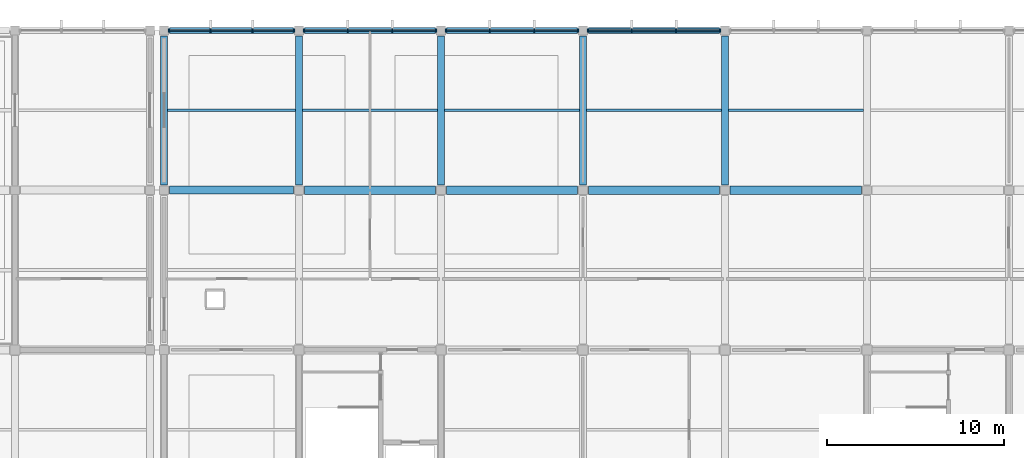
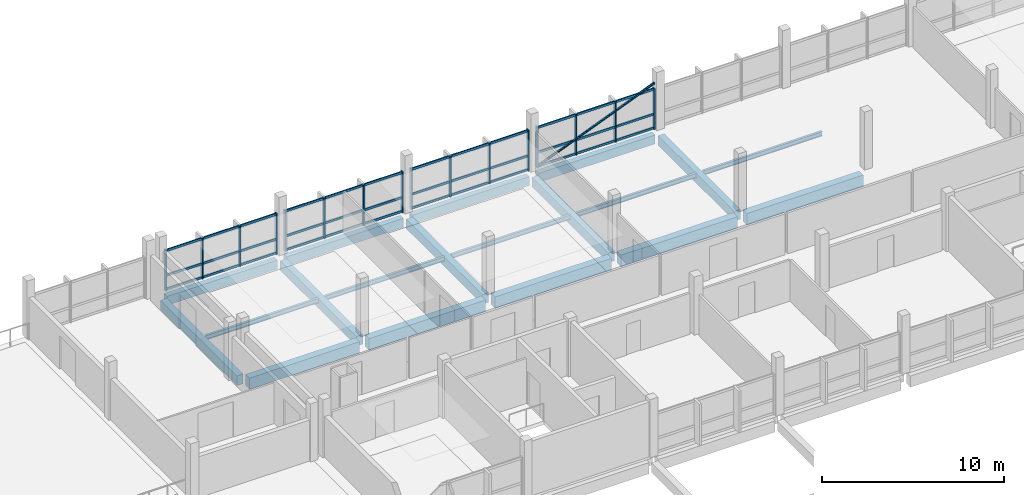
# One storey, part 25 of 57: 53 members, 19 beams, 4 elements without a shape of their own.
"""IFC4 building model written with IfcOpenShell, lengths in metres."""

import ifcopenshell
import ifcopenshell.guid

model = None  # the IFC model being written
_history = None  # IfcOwnerHistory: only IFC2X3 demands one
_inside = {}  # id of a spatial element -> (the spatial element, [elements in it])
_under = {}  # id of a project, library or spatial element -> (it, [spatial elements below it])
_declared = {}  # id of a project -> (the project, [libraries it declares])
_typed = {}  # id of a type object -> (the type object, [elements of that type])
_made_of = {}  # id of a material, layer set ... -> (it, [elements and type objects made of it])


def new_model(schema):
    """Start an empty IFC model of exactly this schema.

    Asked for "IFC4X3", IfcOpenShell would pick the latest addendum, in which some entities
    have other attributes; the version numbers below select the first issue.
    IFC2X3 requires an IfcOwnerHistory on every rooted entity: one is made here for all.
    """
    global model, _history
    if schema == "IFC4X3":
        model = ifcopenshell.file(schema_version=(4, 3, 0, 0))
    else:
        model = ifcopenshell.file(schema=schema)
    _inside.clear()
    _under.clear()
    _declared.clear()
    _typed.clear()
    _made_of.clear()
    _history = None
    if model.schema == "IFC2X3":
        org = make("IfcOrganization", Name="unknown")
        user = make(
            "IfcPersonAndOrganization",
            ThePerson=make("IfcPerson", FamilyName="unknown"),
            TheOrganization=org,
        )
        app = make(
            "IfcApplication",
            ApplicationDeveloper=org,
            Version="unknown",
            ApplicationFullName="unknown",
            ApplicationIdentifier="unknown",
        )
        _history = make(
            "IfcOwnerHistory",
            OwningUser=user,
            OwningApplication=app,
            ChangeAction="ADDED",
            CreationDate=0,
        )
    return model


def make(cls, **values):
    """One entity of the class cls with the attributes given. An attribute that is None is left unset."""
    return model.create_entity(
        cls, **{name: value for name, value in values.items() if value is not None}
    )


def rooted(cls, **values):
    """An entity with a GlobalId (a new one), such as an element, a storey or a relation."""
    return make(cls, GlobalId=ifcopenshell.guid.new(), OwnerHistory=_history, **values)


def si_unit(unit_type, name, prefix=None):
    """IfcSIUnit, for example si_unit("LENGTHUNIT", "METRE", prefix="MILLI")."""
    return make("IfcSIUnit", UnitType=unit_type, Prefix=prefix, Name=name)


def assignment(units):
    """IfcUnitAssignment: the units of a project."""
    return None if units is None else make("IfcUnitAssignment", Units=units)


def point(xyz):
    """IfcCartesianPoint."""
    return None if xyz is None else make("IfcCartesianPoint", Coordinates=xyz)


def direction(xyz):
    """IfcDirection."""
    return None if xyz is None else make("IfcDirection", DirectionRatios=xyz)


def frame(location, z_axis=None, x_axis=None):
    """IfcAxis2Placement3D, a coordinate frame: its origin and axes. An axis left out is left unset."""
    return make(
        "IfcAxis2Placement3D",
        Location=point(location),
        Axis=direction(z_axis),
        RefDirection=direction(x_axis),
    )


def frame_2d(location, x_axis=None):
    """IfcAxis2Placement2D, a coordinate frame in the plane: its origin and x axis."""
    return make(
        "IfcAxis2Placement2D", Location=point(location), RefDirection=direction(x_axis)
    )


def origin():
    """The frame at (0, 0, 0) with its axes left unset."""
    return frame((0.0, 0.0, 0.0))


def origin_2d():
    """The frame at (0, 0) in the plane with its x axis left unset."""
    return frame_2d((0.0, 0.0))


def place(relative_to, where):
    """IfcLocalPlacement: puts the frame where relative to a parent placement (None: the world)."""
    return make(
        "IfcLocalPlacement", PlacementRelTo=relative_to, RelativePlacement=where
    )


def context(
    kind, dimensions, precision=None, world=None, true_north=None, identifier=None
):
    """IfcGeometricRepresentationContext, for example the 3D "Model" context."""
    return make(
        "IfcGeometricRepresentationContext",
        ContextIdentifier=identifier,
        ContextType=kind,
        CoordinateSpaceDimension=dimensions,
        Precision=precision,
        WorldCoordinateSystem=world,
        TrueNorth=true_north,
    )


def subcontext(parent, identifier, kind, view, scale=None):
    """IfcGeometricRepresentationSubContext, for example "Body" below "Model"."""
    return make(
        "IfcGeometricRepresentationSubContext",
        ContextIdentifier=identifier,
        ContextType=kind,
        ParentContext=parent,
        TargetScale=scale,
        TargetView=view,
    )


def project(units=None, contexts=None):
    """IfcProject with its units and contexts."""
    return rooted(
        "IfcProject",
        Name="project",
        RepresentationContexts=contexts,
        UnitsInContext=assignment(units),
    )


def spatial(cls, under=None, at=None, **own):
    """A site, building, storey or space (cls), placed at a placement, below another one or the project."""
    s = rooted(cls, ObjectPlacement=at, **own)
    if under is not None:
        _under.setdefault(under.id(), (under, []))[1].append(s)
    return s


def profile(cls, at=None, kind="AREA", **sizes):
    """A parametric profile (cls). Its sizes go by their IFC names, for example OverallWidth=200.0."""
    return make(cls, ProfileType=kind, Position=at, **sizes)


def rectangle(**sizes):
    """IfcRectangleProfileDef."""
    return profile("IfcRectangleProfileDef", **sizes)


def hollow_circle(**sizes):
    """IfcCircleHollowProfileDef."""
    return profile("IfcCircleHollowProfileDef", **sizes)


def i_section(**sizes):
    """IfcIShapeProfileDef."""
    return profile("IfcIShapeProfileDef", **sizes)


def extrude(swept, where, along, depth):
    """IfcExtrudedAreaSolid: the profile swept, set in the frame where, extruded along a direction by depth."""
    return make(
        "IfcExtrudedAreaSolid",
        SweptArea=swept,
        Position=where,
        ExtrudedDirection=direction(along),
        Depth=depth,
    )


def shape(context_of_items, identifier, shape_type, items):
    """IfcShapeRepresentation: the items that make up one representation, for example the "Body"."""
    return make(
        "IfcShapeRepresentation",
        ContextOfItems=context_of_items,
        RepresentationIdentifier=identifier,
        RepresentationType=shape_type,
        Items=items,
    )


def material(Name=None, Category=None):
    """IfcMaterial."""
    return make("IfcMaterial", Name=Name, Category=Category)


def material_profile(
    of_material, cross_section, Name=None, Category=None, Priority=None
):
    """IfcMaterialProfile: a cross section and its material."""
    return make(
        "IfcMaterialProfile",
        Name=Name,
        Material=of_material,
        Profile=cross_section,
        Priority=Priority,
        Category=Category,
    )


def profile_set(profiles, Name=None, composite=None):
    """IfcMaterialProfileSet."""
    return make(
        "IfcMaterialProfileSet",
        Name=Name,
        MaterialProfiles=profiles,
        CompositeProfile=composite,
    )


def made_of(thing, what):
    """Note that an element or type object is made of a material, layer set ...; save() writes the relation."""
    if what is not None:
        _made_of.setdefault(what.id(), (what, []))[1].append(thing)
    return thing


def type_object(cls, material=None, **own):
    """A type object (cls), such as IfcWallType, which elements share."""
    return made_of(rooted(cls, **own), material)


def element(
    cls,
    number,
    at=None,
    inside=None,
    cuts=None,
    type_object=None,
    material=None,
    context=None,
    identifier="Body",
    shape_type=None,
    held_by="IfcProductDefinitionShape",
    body=None,
    shapes=None,
    **own,
):
    """One element of the class cls, such as IfcWall. Its Tag is "e" and its number.

    at: its placement. inside: the storey or other place that contains it. cuts: it is an
    opening in that element (IfcRelVoidsElement). A single representation is given by context,
    identifier, shape_type and body (its items); several are given by shapes. held_by: the class
    of the entity that holds the representations. save() writes the other relations.
    """
    e = rooted(cls, Tag="e%d" % number, ObjectPlacement=at, **own)
    if body is not None:
        shapes = [shape(context, identifier, shape_type, body)]
    if shapes is not None:
        e.Representation = make(held_by, Representations=shapes)
    if inside is not None:
        _inside.setdefault(inside.id(), (inside, []))[1].append(e)
    if cuts is not None:
        rooted(
            "IfcRelVoidsElement", RelatingBuildingElement=cuts, RelatedOpeningElement=e
        )
    if type_object is not None:
        _typed.setdefault(type_object.id(), (type_object, []))[1].append(e)
    return made_of(e, material)


def aggregate(whole, parts):
    """IfcRelAggregates: a whole, such as a stair, and the parts it consists of."""
    return rooted("IfcRelAggregates", RelatingObject=whole, RelatedObjects=parts)


def save(model, path):
    """Write the relations noted so far, then the file.

    IfcRelAggregates (storeys below a building ...), IfcRelContainedInSpatialStructure (elements
    in a storey), IfcRelDefinesByType, IfcRelAssociatesMaterial and IfcRelDeclares: one each for
    every whole, place, type object, material and project.
    """
    for whole, parts in _under.values():
        aggregate(whole, parts)
    for where, things in _inside.values():
        rooted(
            "IfcRelContainedInSpatialStructure",
            RelatedElements=things,
            RelatingStructure=where,
        )
    for kind, things in _typed.values():
        rooted("IfcRelDefinesByType", RelatedObjects=things, RelatingType=kind)
    for what, things in _made_of.values():
        rooted("IfcRelAssociatesMaterial", RelatedObjects=things, RelatingMaterial=what)
    for by, libraries in _declared.values():
        rooted("IfcRelDeclares", RelatingContext=by, RelatedDefinitions=libraries)
    model.write(path)


model = new_model("IFC4")

# Units and contexts
model_context = context("Model", 3, precision=1e-05, world=origin(), true_north=direction((0.0, 1.0)))
body_context = subcontext(model_context, "Body", "Model", "MODEL_VIEW")
ifc_project = project(units=[si_unit("LENGTHUNIT", "METRE"), si_unit("AREAUNIT", "SQUARE_METRE"), si_unit("VOLUMEUNIT", "CUBIC_METRE"), si_unit("PLANEANGLEUNIT", "RADIAN"), si_unit("MASSUNIT", "GRAM", prefix="KILO"), si_unit("THERMODYNAMICTEMPERATUREUNIT", "KELVIN"), si_unit("POWERUNIT", "WATT")], contexts=[model_context])

# Site, building, storey
site_placement = place(None, origin())
site = spatial("IfcSite", under=ifc_project, at=site_placement, CompositionType="ELEMENT")
building_placement = place(site_placement, origin())
building = spatial("IfcBuilding", under=site, at=building_placement, Name="Kronsvod Quay Wholesale Market", CompositionType="ELEMENT")
storey_placement = place(building_placement, frame((0.0, 0.0, 13.199951171875)))
storey = spatial("IfcBuildingStorey", under=building, at=storey_placement, Name="L03", CompositionType="ELEMENT", Elevation=13.199951171875)

# Beams
ifc_material_1 = material(Name="Precast concrete C40/50", Category="concrete")
ifc_material_profile_1 = material_profile(ifc_material_1, rectangle(XDim=0.39990234375, YDim=0.64990234375, at=origin_2d()), Name="PCB400x650")
ifc_profile_set_1 = profile_set([ifc_material_profile_1], Name="Precast concrete C40/50")
beam_type_1 = type_object("IfcBeamType", Name="Beam_PCB400x650", PredefinedType="BEAM", material=ifc_profile_set_1)
for number, where, z_axis, x_axis, name in (
    (1, (64.39990234375, 117.300048828125, -0.635009765625), (0.0, 1.0, 0.0), (-1.0, 0.0, 0.0), "BMY-L03-644-1170"),
    (2, (72.0, 117.300048828125, -0.635009765625), (0.0, 1.0, 0.0), (-1.0, 0.0, 0.0), "BMY-L03-720-1170"),
    (3, (80.0, 117.300048828125, -0.635009765625), (0.0, 1.0, 0.0), (-1.0, 0.0, 0.0), "BMY-L03-800-1170"),
    (4, (88.0, 117.300048828125, -0.635009765625), (0.0, 1.0, 0.0), (-1.0, 0.0, 0.0), "BMY-L03-880-1170"),
    (5, (96.0, 117.300048828125, -0.635009765625), (0.0, 1.0, 0.0), (-1.0, 0.0, 0.0), "BMY-L03-960-1170"),
):
    element("IfcBeam", number, at=place(storey_placement, frame(where, z_axis=z_axis, x_axis=x_axis)), inside=storey, type_object=beam_type_1, Name=name, PredefinedType="BEAM", context=body_context, shape_type="SweptSolid", body=[
        extrude(rectangle(XDim=0.39990234375, YDim=0.64990234375, at=origin_2d()), origin(), (0.0, 0.0, 1.0), 8.39990234375),
    ])
ifc_material_2 = material(Name="Precast concrete C40/50", Category="concrete")
ifc_material_profile_2 = material_profile(ifc_material_2, rectangle(XDim=0.449951171875, YDim=0.75, at=origin_2d()), Name="PCB450x750")
ifc_profile_set_2 = profile_set([ifc_material_profile_2], Name="Precast concrete C40/50")
beam_type_2 = type_object("IfcBeamType", Name="Beam_PCB450x750", PredefinedType="BEAM", material=ifc_profile_set_2)
beam_1_placement = place(storey_placement, frame((64.699951171875, 117.0, -0.68505859375), z_axis=(1.0, 0.0, 0.0), x_axis=(0.0, 1.0, 0.0)))
element("IfcBeam", 6, at=beam_1_placement, inside=storey, type_object=beam_type_2, Name="BMX-L03-644-1170", PredefinedType="BEAM", context=body_context, shape_type="SweptSolid", body=[
    extrude(rectangle(XDim=0.449951171875, YDim=0.75, at=origin_2d()), origin(), (0.0, 0.0, 1.0), 7.0),
])
ifc_material_3 = material(Name="Precast concrete C40/50", Category="concrete")
ifc_material_profile_3 = material_profile(ifc_material_3, rectangle(XDim=0.4599609375, YDim=0.780029296875, at=origin_2d()), Name="PB-03")
ifc_profile_set_3 = profile_set([ifc_material_profile_3], Name="Precast concrete C40/50")
beam_type_3 = type_object("IfcBeamType", Name="Beam_PCB460x780", PredefinedType="BEAM", material=ifc_profile_set_3)
for number, where, z_axis, x_axis, name in (
    (7, (72.300048828125, 117.0, -0.699951171875), (1.0, 0.0, 0.0), (0.0, 1.0, 0.0), "BMX-L03-720-1170"),
    (8, (80.300048828125, 117.0, -0.699951171875), (1.0, 0.0, 0.0), (0.0, 1.0, 0.0), "BMX-L03-800-1170"),
    (9, (88.300048828125, 117.0, -0.699951171875), (1.0, 0.0, 0.0), (0.0, 1.0, 0.0), "BMX-L03-880-1170"),
    (10, (96.300048828125, 117.0, -0.699951171875), (1.0, 0.0, 0.0), (0.0, 1.0, 0.0), "BMX-L03-960-1170"),
):
    element("IfcBeam", number, at=place(storey_placement, frame(where, z_axis=z_axis, x_axis=x_axis)), inside=storey, type_object=beam_type_3, Name=name, PredefinedType="BEAM", context=body_context, shape_type="SweptSolid", body=[
        extrude(rectangle(XDim=0.4599609375, YDim=0.780029296875, at=origin_2d()), origin(), (0.0, 0.0, 1.0), 7.39990234375),
    ])
ifc_material_4 = material(Name="Steel S355", Category="steel")
ifc_material_profile_4 = material_profile(ifc_material_4, i_section(OverallWidth=0.14990234375, OverallDepth=0.300048828125, WebThickness=0.006591796875, FlangeThickness=0.009033203125, FilletRadius=0.012939453125, at=origin_2d()), Name="30B2")
ifc_profile_set_4 = profile_set([ifc_material_profile_4], Name="Steel S355")
beam_type_4 = type_object("IfcBeamType", Name="Joist_Steel30B2", PredefinedType="JOIST", material=ifc_profile_set_4)
beam_2_placement = place(storey_placement, frame((64.594970703125, 121.5, -0.39990234375), z_axis=(1.0, 0.0, 0.0), x_axis=(0.0, 1.0, 0.0)))
element("IfcBeam", 11, at=beam_2_placement, inside=storey, type_object=beam_type_4, Name="JSTX-L03-644-1170", PredefinedType="JOIST", context=body_context, shape_type="SweptSolid", body=[
    extrude(i_section(OverallWidth=0.14990234375, OverallDepth=0.300048828125, WebThickness=0.006591796875, FlangeThickness=0.009033203125, FilletRadius=0.012939453125, at=origin_2d()), origin(), (0.0, 0.0, 1.0), 7.2099609375),
])
for number, where, z_axis, x_axis, name in (
    (12, (72.195068359375, 121.5, -0.39990234375), (1.0, 0.0, 0.0), (0.0, 1.0, 0.0), "JSTX-L03-720-1170"),
    (13, (80.195068359375, 121.5, -0.39990234375), (1.0, 0.0, 0.0), (0.0, 1.0, 0.0), "JSTX-L03-800-1170"),
    (14, (88.195068359375, 121.5, -0.39990234375), (1.0, 0.0, 0.0), (0.0, 1.0, 0.0), "JSTX-L03-880-1170"),
    (15, (96.195068359375, 121.5, -0.39990234375), (1.0, 0.0, 0.0), (0.0, 1.0, 0.0), "JSTX-L03-960-1170"),
):
    element("IfcBeam", number, at=place(storey_placement, frame(where, z_axis=z_axis, x_axis=x_axis)), inside=storey, type_object=beam_type_4, Name=name, PredefinedType="JOIST", context=body_context, shape_type="SweptSolid", body=[
        extrude(i_section(OverallWidth=0.14990234375, OverallDepth=0.300048828125, WebThickness=0.006591796875, FlangeThickness=0.009033203125, FilletRadius=0.012939453125, at=origin_2d()), origin(), (0.0, 0.0, 1.0), 7.60986328125),
    ])

# Member
ifc_material_5 = material(Name="Steel S355", Category="steel")
ifc_material_profile_5 = material_profile(ifc_material_5, hollow_circle(Radius=0.07958984375, WallThickness=0.006103515625, at=origin_2d()), Name="CHS159x6")
ifc_profile_set_5 = profile_set([ifc_material_profile_5], Name="Steel S355")
member_type_1 = type_object("IfcMemberType", Name="Member_Brace159x6", PredefinedType="BRACE", material=ifc_profile_set_5)
member_1_placement = place(storey_placement, frame((88.239990234375, 126.0, 0.050048828125), z_axis=(0.927964695428, 0.0, 0.372668115137), x_axis=(0.0, 1.0, 0.0)))
element("IfcMember", 16, at=member_1_placement, inside=storey, type_object=member_type_1, Name="BRCG-L03-880-1260-A", PredefinedType="BRACE", context=body_context, shape_type="SweptSolid", body=[
    extrude(hollow_circle(Radius=0.07958984375, WallThickness=0.006103515625, at=origin_2d()), origin(), (0.0, 0.0, 1.0), 8.103759765625),
])

# Curtain wall, members
ifc_material_6 = material(Name="Thermally broken aluminium and triple low-E glazing", Category="aluminium")
curtain_wall_type_1 = type_object("IfcCurtainWallType", Name="CW_Harbour76x30", PredefinedType="NOTDEFINED", material=ifc_material_6)
curtain_wall_1_placement = place(storey_placement, origin())
curtain_wall_1 = element("IfcCurtainWall", 17, at=curtain_wall_1_placement, inside=storey, type_object=curtain_wall_type_1, Name="CWGX-L03-644-1260", PredefinedType="NOTDEFINED")
ifc_material_7 = material(Name="Anodised aluminium", Category="aluminium")
ifc_material_profile_6 = material_profile(ifc_material_7, rectangle(XDim=0.074951171875, YDim=0.199951171875, at=origin_2d()), Name="ALUM75x200")
ifc_profile_set_6 = profile_set([ifc_material_profile_6], Name="Anodised aluminium")
member_type_2 = type_object("IfcMemberType", Name="Mullion_ALU75x200", PredefinedType="MULLION", material=ifc_profile_set_6)
member_2_placement = place(storey_placement, frame((71.717529296875, 126.0, 0.0), z_axis=(0.0, 0.0, 1.0), x_axis=(1.0, 0.0, 0.0)))
member_2 = element("IfcMember", 18, at=member_2_placement, type_object=member_type_2, Name="CWGX-L03-644-1260-M1", PredefinedType="MULLION", context=body_context, shape_type="SweptSolid", body=[
    extrude(rectangle(XDim=0.074951171875, YDim=0.199951171875, at=origin_2d()), origin(), (0.0, 0.0, 1.0), 2.75),
])
member_3_placement = place(storey_placement, frame((69.385009765625, 126.0, 0.0), z_axis=(0.0, 0.0, 1.0), x_axis=(1.0, 0.0, 0.0)))
member_3 = element("IfcMember", 19, at=member_3_placement, type_object=member_type_2, Name="CWGX-L03-644-1260-M2", PredefinedType="MULLION", context=body_context, shape_type="SweptSolid", body=[
    extrude(rectangle(XDim=0.074951171875, YDim=0.199951171875, at=origin_2d()), origin(), (0.0, 0.0, 1.0), 2.75),
])
member_4_placement = place(storey_placement, frame((67.014892578125, 126.0, 0.0), z_axis=(0.0, 0.0, 1.0), x_axis=(1.0, 0.0, 0.0)))
member_4 = element("IfcMember", 20, at=member_4_placement, type_object=member_type_2, Name="CWGX-L03-644-1260-M3", PredefinedType="MULLION", context=body_context, shape_type="SweptSolid", body=[
    extrude(rectangle(XDim=0.074951171875, YDim=0.199951171875, at=origin_2d()), origin(), (0.0, 0.0, 1.0), 2.75),
])
member_5_placement = place(storey_placement, frame((64.6826171875, 126.0, 0.0), z_axis=(0.0, 0.0, 1.0), x_axis=(1.0, 0.0, 0.0)))
member_5 = element("IfcMember", 21, at=member_5_placement, type_object=member_type_2, Name="CWGX-L03-644-1260-M4", PredefinedType="MULLION", context=body_context, shape_type="SweptSolid", body=[
    extrude(rectangle(XDim=0.074951171875, YDim=0.199951171875, at=origin_2d()), origin(), (0.0, 0.0, 1.0), 2.75),
])

ifc_material_8 = material(Name="Thermally broken aluminium and triple low-E glazing", Category="aluminium")
curtain_wall_type_2 = type_object("IfcCurtainWallType", Name="CW_Harbour80x30", PredefinedType="NOTDEFINED", material=ifc_material_8)
curtain_wall_2_placement = place(storey_placement, origin())
curtain_wall_2 = element("IfcCurtainWall", 22, at=curtain_wall_2_placement, inside=storey, type_object=curtain_wall_type_2, Name="CWGX-L03-720-1260", PredefinedType="NOTDEFINED")
member_6_placement = place(storey_placement, frame((79.717529296875, 126.0, 0.0), z_axis=(0.0, 0.0, 1.0), x_axis=(1.0, 0.0, 0.0)))
member_6 = element("IfcMember", 23, at=member_6_placement, type_object=member_type_2, Name="CWGX-L03-720-1260-M1", PredefinedType="MULLION", context=body_context, shape_type="SweptSolid", body=[
    extrude(rectangle(XDim=0.074951171875, YDim=0.199951171875, at=origin_2d()), origin(), (0.0, 0.0, 1.0), 2.75),
])
member_7_placement = place(storey_placement, frame((77.251708984375, 126.0, 0.0), z_axis=(0.0, 0.0, 1.0), x_axis=(1.0, 0.0, 0.0)))
member_7 = element("IfcMember", 24, at=member_7_placement, type_object=member_type_2, Name="CWGX-L03-720-1260-M2", PredefinedType="MULLION", context=body_context, shape_type="SweptSolid", body=[
    extrude(rectangle(XDim=0.074951171875, YDim=0.199951171875, at=origin_2d()), origin(), (0.0, 0.0, 1.0), 2.75),
])
member_8_placement = place(storey_placement, frame((74.748291015625, 126.0, 0.0), z_axis=(0.0, 0.0, 1.0), x_axis=(1.0, 0.0, 0.0)))
member_8 = element("IfcMember", 25, at=member_8_placement, type_object=member_type_2, Name="CWGX-L03-720-1260-M3", PredefinedType="MULLION", context=body_context, shape_type="SweptSolid", body=[
    extrude(rectangle(XDim=0.074951171875, YDim=0.199951171875, at=origin_2d()), origin(), (0.0, 0.0, 1.0), 2.75),
])
member_9_placement = place(storey_placement, frame((72.282470703125, 126.0, 0.0), z_axis=(0.0, 0.0, 1.0), x_axis=(1.0, 0.0, 0.0)))
member_9 = element("IfcMember", 26, at=member_9_placement, type_object=member_type_2, Name="CWGX-L03-720-1260-M4", PredefinedType="MULLION", context=body_context, shape_type="SweptSolid", body=[
    extrude(rectangle(XDim=0.074951171875, YDim=0.199951171875, at=origin_2d()), origin(), (0.0, 0.0, 1.0), 2.75),
])

curtain_wall_3_placement = place(storey_placement, origin())
curtain_wall_3 = element("IfcCurtainWall", 27, at=curtain_wall_3_placement, inside=storey, type_object=curtain_wall_type_2, Name="CWGX-L03-800-1260", PredefinedType="NOTDEFINED")
member_10_placement = place(storey_placement, frame((87.717529296875, 126.0, 0.0), z_axis=(0.0, 0.0, 1.0), x_axis=(1.0, 0.0, 0.0)))
member_10 = element("IfcMember", 28, at=member_10_placement, type_object=member_type_2, Name="CWGX-L03-800-1260-M1", PredefinedType="MULLION", context=body_context, shape_type="SweptSolid", body=[
    extrude(rectangle(XDim=0.074951171875, YDim=0.199951171875, at=origin_2d()), origin(), (0.0, 0.0, 1.0), 2.75),
])
member_11_placement = place(storey_placement, frame((85.251708984375, 126.0, 0.0), z_axis=(0.0, 0.0, 1.0), x_axis=(1.0, 0.0, 0.0)))
member_11 = element("IfcMember", 29, at=member_11_placement, type_object=member_type_2, Name="CWGX-L03-800-1260-M2", PredefinedType="MULLION", context=body_context, shape_type="SweptSolid", body=[
    extrude(rectangle(XDim=0.074951171875, YDim=0.199951171875, at=origin_2d()), origin(), (0.0, 0.0, 1.0), 2.75),
])
member_12_placement = place(storey_placement, frame((82.748291015625, 126.0, 0.0), z_axis=(0.0, 0.0, 1.0), x_axis=(1.0, 0.0, 0.0)))
member_12 = element("IfcMember", 30, at=member_12_placement, type_object=member_type_2, Name="CWGX-L03-800-1260-M3", PredefinedType="MULLION", context=body_context, shape_type="SweptSolid", body=[
    extrude(rectangle(XDim=0.074951171875, YDim=0.199951171875, at=origin_2d()), origin(), (0.0, 0.0, 1.0), 2.75),
])
member_13_placement = place(storey_placement, frame((80.282470703125, 126.0, 0.0), z_axis=(0.0, 0.0, 1.0), x_axis=(1.0, 0.0, 0.0)))
member_13 = element("IfcMember", 31, at=member_13_placement, type_object=member_type_2, Name="CWGX-L03-800-1260-M4", PredefinedType="MULLION", context=body_context, shape_type="SweptSolid", body=[
    extrude(rectangle(XDim=0.074951171875, YDim=0.199951171875, at=origin_2d()), origin(), (0.0, 0.0, 1.0), 2.75),
])

curtain_wall_4_placement = place(storey_placement, origin())
curtain_wall_4 = element("IfcCurtainWall", 32, at=curtain_wall_4_placement, inside=storey, type_object=curtain_wall_type_2, Name="CWGX-L03-880-1260", PredefinedType="NOTDEFINED")
member_14_placement = place(storey_placement, frame((95.717529296875, 126.0, 0.0), z_axis=(0.0, 0.0, 1.0), x_axis=(1.0, 0.0, 0.0)))
member_14 = element("IfcMember", 33, at=member_14_placement, type_object=member_type_2, Name="CWGX-L03-880-1260-M1", PredefinedType="MULLION", context=body_context, shape_type="SweptSolid", body=[
    extrude(rectangle(XDim=0.074951171875, YDim=0.199951171875, at=origin_2d()), origin(), (0.0, 0.0, 1.0), 2.75),
])
member_15_placement = place(storey_placement, frame((93.251708984375, 126.0, 0.0), z_axis=(0.0, 0.0, 1.0), x_axis=(1.0, 0.0, 0.0)))
member_15 = element("IfcMember", 34, at=member_15_placement, type_object=member_type_2, Name="CWGX-L03-880-1260-M2", PredefinedType="MULLION", context=body_context, shape_type="SweptSolid", body=[
    extrude(rectangle(XDim=0.074951171875, YDim=0.199951171875, at=origin_2d()), origin(), (0.0, 0.0, 1.0), 2.75),
])
member_16_placement = place(storey_placement, frame((90.748291015625, 126.0, 0.0), z_axis=(0.0, 0.0, 1.0), x_axis=(1.0, 0.0, 0.0)))
member_16 = element("IfcMember", 35, at=member_16_placement, type_object=member_type_2, Name="CWGX-L03-880-1260-M3", PredefinedType="MULLION", context=body_context, shape_type="SweptSolid", body=[
    extrude(rectangle(XDim=0.074951171875, YDim=0.199951171875, at=origin_2d()), origin(), (0.0, 0.0, 1.0), 2.75),
])
member_17_placement = place(storey_placement, frame((88.282470703125, 126.0, 0.0), z_axis=(0.0, 0.0, 1.0), x_axis=(1.0, 0.0, 0.0)))
member_17 = element("IfcMember", 36, at=member_17_placement, type_object=member_type_2, Name="CWGX-L03-880-1260-M4", PredefinedType="MULLION", context=body_context, shape_type="SweptSolid", body=[
    extrude(rectangle(XDim=0.074951171875, YDim=0.199951171875, at=origin_2d()), origin(), (0.0, 0.0, 1.0), 2.75),
])

# Beams
ifc_material_9 = material(Name="Precast concrete C40/50", Category="concrete")
ifc_material_profile_7 = material_profile(ifc_material_9, rectangle(XDim=0.35009765625, YDim=0.60009765625, at=origin_2d()), Name="PCSP350x600")
ifc_profile_set_7 = profile_set([ifc_material_profile_7], Name="Precast concrete C40/50")
beam_type_5 = type_object("IfcBeamType", Name="Spandrel_PCSP350x600", PredefinedType="SPANDREL", material=ifc_profile_set_7)
beam_3_placement = place(storey_placement, frame((64.699951171875, 126.0, -0.60986328125), z_axis=(1.0, 0.0, 0.0), x_axis=(0.0, 1.0, 0.0)))
element("IfcBeam", 37, at=beam_3_placement, inside=storey, type_object=beam_type_5, Name="BMX-L03-644-1260", PredefinedType="SPANDREL", context=body_context, shape_type="SweptSolid", body=[
    extrude(rectangle(XDim=0.35009765625, YDim=0.60009765625, at=origin_2d()), origin(), (0.0, 0.0, 1.0), 7.0),
])
for number, where, z_axis, x_axis, name in (
    (38, (72.300048828125, 126.0, -0.60986328125), (1.0, 0.0, 0.0), (0.0, 1.0, 0.0), "BMX-L03-720-1260"),
    (39, (80.300048828125, 126.0, -0.60986328125), (1.0, 0.0, 0.0), (0.0, 1.0, 0.0), "BMX-L03-800-1260"),
    (40, (88.300048828125, 126.0, -0.60986328125), (1.0, 0.0, 0.0), (0.0, 1.0, 0.0), "BMX-L03-880-1260"),
):
    element("IfcBeam", number, at=place(storey_placement, frame(where, z_axis=z_axis, x_axis=x_axis)), inside=storey, type_object=beam_type_5, Name=name, PredefinedType="SPANDREL", context=body_context, shape_type="SweptSolid", body=[
        extrude(rectangle(XDim=0.35009765625, YDim=0.60009765625, at=origin_2d()), origin(), (0.0, 0.0, 1.0), 7.39990234375),
    ])

# Member
ifc_material_10 = material(Name="Anodised aluminium", Category="aluminium")
ifc_material_profile_8 = material_profile(ifc_material_10, rectangle(XDim=0.074951171875, YDim=0.14990234375, at=origin_2d()), Name="ALUT75x150")
ifc_profile_set_8 = profile_set([ifc_material_profile_8], Name="Anodised aluminium")
member_type_3 = type_object("IfcMemberType", Name="Transom_ALU75x150", PredefinedType="USERDEFINED", material=ifc_profile_set_8)
member_18_placement = place(storey_placement, frame((71.679931640625, 126.0, 0.074951171875), z_axis=(-1.0, 0.0, 0.0), x_axis=(0.0, -1.0, 0.0)))
member_18 = element("IfcMember", 41, at=member_18_placement, type_object=member_type_3, Name="CWGX-L03-644-1260-T1B1", ObjectType="TRANSOM", PredefinedType="USERDEFINED", context=body_context, shape_type="SweptSolid", body=[
    extrude(rectangle(XDim=0.074951171875, YDim=0.14990234375, at=origin_2d()), origin(), (0.0, 0.0, 1.0), 2.25732421875),
])

member_19_placement = place(storey_placement, frame((69.347412109375, 126.0, 0.074951171875), z_axis=(-1.0, 0.0, 0.0), x_axis=(0.0, -1.0, 0.0)))
member_19 = element("IfcMember", 42, at=member_19_placement, type_object=member_type_3, Name="CWGX-L03-644-1260-T1B2", ObjectType="TRANSOM", PredefinedType="USERDEFINED", context=body_context, shape_type="SweptSolid", body=[
    extrude(rectangle(XDim=0.074951171875, YDim=0.14990234375, at=origin_2d()), origin(), (0.0, 0.0, 1.0), 2.294921875),
])

member_20_placement = place(storey_placement, frame((66.9775390625, 126.0, 0.074951171875), z_axis=(-1.0, 0.0, 0.0), x_axis=(0.0, -1.0, 0.0)))
member_20 = element("IfcMember", 43, at=member_20_placement, type_object=member_type_3, Name="CWGX-L03-644-1260-T1B3", ObjectType="TRANSOM", PredefinedType="USERDEFINED", context=body_context, shape_type="SweptSolid", body=[
    extrude(rectangle(XDim=0.074951171875, YDim=0.14990234375, at=origin_2d()), origin(), (0.0, 0.0, 1.0), 2.257568359375),
])

member_21_placement = place(storey_placement, frame((71.679931640625, 126.0, 1.0), z_axis=(-1.0, 0.0, 0.0), x_axis=(0.0, -1.0, 0.0)))
member_21 = element("IfcMember", 44, at=member_21_placement, type_object=member_type_3, Name="CWGX-L03-644-1260-T2B1", ObjectType="TRANSOM", PredefinedType="USERDEFINED", context=body_context, shape_type="SweptSolid", body=[
    extrude(rectangle(XDim=0.074951171875, YDim=0.14990234375, at=origin_2d()), origin(), (0.0, 0.0, 1.0), 2.25732421875),
])

member_22_placement = place(storey_placement, frame((69.347412109375, 126.0, 1.0), z_axis=(-1.0, 0.0, 0.0), x_axis=(0.0, -1.0, 0.0)))
member_22 = element("IfcMember", 45, at=member_22_placement, type_object=member_type_3, Name="CWGX-L03-644-1260-T2B2", ObjectType="TRANSOM", PredefinedType="USERDEFINED", context=body_context, shape_type="SweptSolid", body=[
    extrude(rectangle(XDim=0.074951171875, YDim=0.14990234375, at=origin_2d()), origin(), (0.0, 0.0, 1.0), 2.294921875),
])

member_23_placement = place(storey_placement, frame((66.9775390625, 126.0, 1.0), z_axis=(-1.0, 0.0, 0.0), x_axis=(0.0, -1.0, 0.0)))
member_23 = element("IfcMember", 46, at=member_23_placement, type_object=member_type_3, Name="CWGX-L03-644-1260-T2B3", ObjectType="TRANSOM", PredefinedType="USERDEFINED", context=body_context, shape_type="SweptSolid", body=[
    extrude(rectangle(XDim=0.074951171875, YDim=0.14990234375, at=origin_2d()), origin(), (0.0, 0.0, 1.0), 2.257568359375),
])

member_24_placement = place(storey_placement, frame((71.679931640625, 126.0, 2.675048828125), z_axis=(-1.0, 0.0, 0.0), x_axis=(0.0, -1.0, 0.0)))
member_24 = element("IfcMember", 47, at=member_24_placement, type_object=member_type_3, Name="CWGX-L03-644-1260-T3B1", ObjectType="TRANSOM", PredefinedType="USERDEFINED", context=body_context, shape_type="SweptSolid", body=[
    extrude(rectangle(XDim=0.074951171875, YDim=0.14990234375, at=origin_2d()), origin(), (0.0, 0.0, 1.0), 2.25732421875),
])

member_25_placement = place(storey_placement, frame((69.347412109375, 126.0, 2.675048828125), z_axis=(-1.0, 0.0, 0.0), x_axis=(0.0, -1.0, 0.0)))
member_25 = element("IfcMember", 48, at=member_25_placement, type_object=member_type_3, Name="CWGX-L03-644-1260-T3B2", ObjectType="TRANSOM", PredefinedType="USERDEFINED", context=body_context, shape_type="SweptSolid", body=[
    extrude(rectangle(XDim=0.074951171875, YDim=0.14990234375, at=origin_2d()), origin(), (0.0, 0.0, 1.0), 2.294921875),
])

member_26_placement = place(storey_placement, frame((66.9775390625, 126.0, 2.675048828125), z_axis=(-1.0, 0.0, 0.0), x_axis=(0.0, -1.0, 0.0)))
member_26 = element("IfcMember", 49, at=member_26_placement, type_object=member_type_3, Name="CWGX-L03-644-1260-T3B3", ObjectType="TRANSOM", PredefinedType="USERDEFINED", context=body_context, shape_type="SweptSolid", body=[
    extrude(rectangle(XDim=0.074951171875, YDim=0.14990234375, at=origin_2d()), origin(), (0.0, 0.0, 1.0), 2.257568359375),
])

aggregate(curtain_wall_1, [member_2, member_3, member_4, member_5, member_18, member_19, member_20, member_21, member_22, member_23, member_24, member_25, member_26])

member_27_placement = place(storey_placement, frame((79.679931640625, 126.0, 0.074951171875), z_axis=(-1.0, 0.0, 0.0), x_axis=(0.0, -1.0, 0.0)))
member_27 = element("IfcMember", 50, at=member_27_placement, type_object=member_type_3, Name="CWGX-L03-720-1260-T1B1", ObjectType="TRANSOM", PredefinedType="USERDEFINED", context=body_context, shape_type="SweptSolid", body=[
    extrude(rectangle(XDim=0.074951171875, YDim=0.14990234375, at=origin_2d()), origin(), (0.0, 0.0, 1.0), 2.390869140625),
])

member_28_placement = place(storey_placement, frame((77.214111328125, 126.0, 0.074951171875), z_axis=(-1.0, 0.0, 0.0), x_axis=(0.0, -1.0, 0.0)))
member_28 = element("IfcMember", 51, at=member_28_placement, type_object=member_type_3, Name="CWGX-L03-720-1260-T1B2", ObjectType="TRANSOM", PredefinedType="USERDEFINED", context=body_context, shape_type="SweptSolid", body=[
    extrude(rectangle(XDim=0.074951171875, YDim=0.14990234375, at=origin_2d()), origin(), (0.0, 0.0, 1.0), 2.42822265625),
])

member_29_placement = place(storey_placement, frame((74.7109375, 126.0, 0.074951171875), z_axis=(-1.0, 0.0, 0.0), x_axis=(0.0, -1.0, 0.0)))
member_29 = element("IfcMember", 52, at=member_29_placement, type_object=member_type_3, Name="CWGX-L03-720-1260-T1B3", ObjectType="TRANSOM", PredefinedType="USERDEFINED", context=body_context, shape_type="SweptSolid", body=[
    extrude(rectangle(XDim=0.074951171875, YDim=0.14990234375, at=origin_2d()), origin(), (0.0, 0.0, 1.0), 2.390869140625),
])

member_30_placement = place(storey_placement, frame((79.679931640625, 126.0, 1.0), z_axis=(-1.0, 0.0, 0.0), x_axis=(0.0, -1.0, 0.0)))
member_30 = element("IfcMember", 53, at=member_30_placement, type_object=member_type_3, Name="CWGX-L03-720-1260-T2B1", ObjectType="TRANSOM", PredefinedType="USERDEFINED", context=body_context, shape_type="SweptSolid", body=[
    extrude(rectangle(XDim=0.074951171875, YDim=0.14990234375, at=origin_2d()), origin(), (0.0, 0.0, 1.0), 2.390869140625),
])

member_31_placement = place(storey_placement, frame((77.214111328125, 126.0, 1.0), z_axis=(-1.0, 0.0, 0.0), x_axis=(0.0, -1.0, 0.0)))
member_31 = element("IfcMember", 54, at=member_31_placement, type_object=member_type_3, Name="CWGX-L03-720-1260-T2B2", ObjectType="TRANSOM", PredefinedType="USERDEFINED", context=body_context, shape_type="SweptSolid", body=[
    extrude(rectangle(XDim=0.074951171875, YDim=0.14990234375, at=origin_2d()), origin(), (0.0, 0.0, 1.0), 2.42822265625),
])

member_32_placement = place(storey_placement, frame((74.7109375, 126.0, 1.0), z_axis=(-1.0, 0.0, 0.0), x_axis=(0.0, -1.0, 0.0)))
member_32 = element("IfcMember", 55, at=member_32_placement, type_object=member_type_3, Name="CWGX-L03-720-1260-T2B3", ObjectType="TRANSOM", PredefinedType="USERDEFINED", context=body_context, shape_type="SweptSolid", body=[
    extrude(rectangle(XDim=0.074951171875, YDim=0.14990234375, at=origin_2d()), origin(), (0.0, 0.0, 1.0), 2.390869140625),
])

member_33_placement = place(storey_placement, frame((79.679931640625, 126.0, 2.675048828125), z_axis=(-1.0, 0.0, 0.0), x_axis=(0.0, -1.0, 0.0)))
member_33 = element("IfcMember", 56, at=member_33_placement, type_object=member_type_3, Name="CWGX-L03-720-1260-T3B1", ObjectType="TRANSOM", PredefinedType="USERDEFINED", context=body_context, shape_type="SweptSolid", body=[
    extrude(rectangle(XDim=0.074951171875, YDim=0.14990234375, at=origin_2d()), origin(), (0.0, 0.0, 1.0), 2.390869140625),
])

member_34_placement = place(storey_placement, frame((77.214111328125, 126.0, 2.675048828125), z_axis=(-1.0, 0.0, 0.0), x_axis=(0.0, -1.0, 0.0)))
member_34 = element("IfcMember", 57, at=member_34_placement, type_object=member_type_3, Name="CWGX-L03-720-1260-T3B2", ObjectType="TRANSOM", PredefinedType="USERDEFINED", context=body_context, shape_type="SweptSolid", body=[
    extrude(rectangle(XDim=0.074951171875, YDim=0.14990234375, at=origin_2d()), origin(), (0.0, 0.0, 1.0), 2.42822265625),
])

member_35_placement = place(storey_placement, frame((74.7109375, 126.0, 2.675048828125), z_axis=(-1.0, 0.0, 0.0), x_axis=(0.0, -1.0, 0.0)))
member_35 = element("IfcMember", 58, at=member_35_placement, type_object=member_type_3, Name="CWGX-L03-720-1260-T3B3", ObjectType="TRANSOM", PredefinedType="USERDEFINED", context=body_context, shape_type="SweptSolid", body=[
    extrude(rectangle(XDim=0.074951171875, YDim=0.14990234375, at=origin_2d()), origin(), (0.0, 0.0, 1.0), 2.390869140625),
])

aggregate(curtain_wall_2, [member_6, member_7, member_8, member_9, member_27, member_28, member_29, member_30, member_31, member_32, member_33, member_34, member_35])

member_36_placement = place(storey_placement, frame((87.679931640625, 126.0, 0.074951171875), z_axis=(-1.0, 0.0, 0.0), x_axis=(0.0, -1.0, 0.0)))
member_36 = element("IfcMember", 59, at=member_36_placement, type_object=member_type_3, Name="CWGX-L03-800-1260-T1B1", ObjectType="TRANSOM", PredefinedType="USERDEFINED", context=body_context, shape_type="SweptSolid", body=[
    extrude(rectangle(XDim=0.074951171875, YDim=0.14990234375, at=origin_2d()), origin(), (0.0, 0.0, 1.0), 2.390869140625),
])

member_37_placement = place(storey_placement, frame((85.214111328125, 126.0, 0.074951171875), z_axis=(-1.0, 0.0, 0.0), x_axis=(0.0, -1.0, 0.0)))
member_37 = element("IfcMember", 60, at=member_37_placement, type_object=member_type_3, Name="CWGX-L03-800-1260-T1B2", ObjectType="TRANSOM", PredefinedType="USERDEFINED", context=body_context, shape_type="SweptSolid", body=[
    extrude(rectangle(XDim=0.074951171875, YDim=0.14990234375, at=origin_2d()), origin(), (0.0, 0.0, 1.0), 2.42822265625),
])

member_38_placement = place(storey_placement, frame((82.7109375, 126.0, 0.074951171875), z_axis=(-1.0, 0.0, 0.0), x_axis=(0.0, -1.0, 0.0)))
member_38 = element("IfcMember", 61, at=member_38_placement, type_object=member_type_3, Name="CWGX-L03-800-1260-T1B3", ObjectType="TRANSOM", PredefinedType="USERDEFINED", context=body_context, shape_type="SweptSolid", body=[
    extrude(rectangle(XDim=0.074951171875, YDim=0.14990234375, at=origin_2d()), origin(), (0.0, 0.0, 1.0), 2.390869140625),
])

member_39_placement = place(storey_placement, frame((87.679931640625, 126.0, 1.0), z_axis=(-1.0, 0.0, 0.0), x_axis=(0.0, -1.0, 0.0)))
member_39 = element("IfcMember", 62, at=member_39_placement, type_object=member_type_3, Name="CWGX-L03-800-1260-T2B1", ObjectType="TRANSOM", PredefinedType="USERDEFINED", context=body_context, shape_type="SweptSolid", body=[
    extrude(rectangle(XDim=0.074951171875, YDim=0.14990234375, at=origin_2d()), origin(), (0.0, 0.0, 1.0), 2.390869140625),
])

member_40_placement = place(storey_placement, frame((85.214111328125, 126.0, 1.0), z_axis=(-1.0, 0.0, 0.0), x_axis=(0.0, -1.0, 0.0)))
member_40 = element("IfcMember", 63, at=member_40_placement, type_object=member_type_3, Name="CWGX-L03-800-1260-T2B2", ObjectType="TRANSOM", PredefinedType="USERDEFINED", context=body_context, shape_type="SweptSolid", body=[
    extrude(rectangle(XDim=0.074951171875, YDim=0.14990234375, at=origin_2d()), origin(), (0.0, 0.0, 1.0), 2.42822265625),
])

member_41_placement = place(storey_placement, frame((82.7109375, 126.0, 1.0), z_axis=(-1.0, 0.0, 0.0), x_axis=(0.0, -1.0, 0.0)))
member_41 = element("IfcMember", 64, at=member_41_placement, type_object=member_type_3, Name="CWGX-L03-800-1260-T2B3", ObjectType="TRANSOM", PredefinedType="USERDEFINED", context=body_context, shape_type="SweptSolid", body=[
    extrude(rectangle(XDim=0.074951171875, YDim=0.14990234375, at=origin_2d()), origin(), (0.0, 0.0, 1.0), 2.390869140625),
])

member_42_placement = place(storey_placement, frame((87.679931640625, 126.0, 2.675048828125), z_axis=(-1.0, 0.0, 0.0), x_axis=(0.0, -1.0, 0.0)))
member_42 = element("IfcMember", 65, at=member_42_placement, type_object=member_type_3, Name="CWGX-L03-800-1260-T3B1", ObjectType="TRANSOM", PredefinedType="USERDEFINED", context=body_context, shape_type="SweptSolid", body=[
    extrude(rectangle(XDim=0.074951171875, YDim=0.14990234375, at=origin_2d()), origin(), (0.0, 0.0, 1.0), 2.390869140625),
])

member_43_placement = place(storey_placement, frame((85.214111328125, 126.0, 2.675048828125), z_axis=(-1.0, 0.0, 0.0), x_axis=(0.0, -1.0, 0.0)))
member_43 = element("IfcMember", 66, at=member_43_placement, type_object=member_type_3, Name="CWGX-L03-800-1260-T3B2", ObjectType="TRANSOM", PredefinedType="USERDEFINED", context=body_context, shape_type="SweptSolid", body=[
    extrude(rectangle(XDim=0.074951171875, YDim=0.14990234375, at=origin_2d()), origin(), (0.0, 0.0, 1.0), 2.42822265625),
])

member_44_placement = place(storey_placement, frame((82.7109375, 126.0, 2.675048828125), z_axis=(-1.0, 0.0, 0.0), x_axis=(0.0, -1.0, 0.0)))
member_44 = element("IfcMember", 67, at=member_44_placement, type_object=member_type_3, Name="CWGX-L03-800-1260-T3B3", ObjectType="TRANSOM", PredefinedType="USERDEFINED", context=body_context, shape_type="SweptSolid", body=[
    extrude(rectangle(XDim=0.074951171875, YDim=0.14990234375, at=origin_2d()), origin(), (0.0, 0.0, 1.0), 2.390869140625),
])

aggregate(curtain_wall_3, [member_10, member_11, member_12, member_13, member_36, member_37, member_38, member_39, member_40, member_41, member_42, member_43, member_44])

member_45_placement = place(storey_placement, frame((95.679931640625, 126.0, 0.074951171875), z_axis=(-1.0, 0.0, 0.0), x_axis=(0.0, -1.0, 0.0)))
member_45 = element("IfcMember", 68, at=member_45_placement, type_object=member_type_3, Name="CWGX-L03-880-1260-T1B1", ObjectType="TRANSOM", PredefinedType="USERDEFINED", context=body_context, shape_type="SweptSolid", body=[
    extrude(rectangle(XDim=0.074951171875, YDim=0.14990234375, at=origin_2d()), origin(), (0.0, 0.0, 1.0), 2.390869140625),
])

member_46_placement = place(storey_placement, frame((93.214111328125, 126.0, 0.074951171875), z_axis=(-1.0, 0.0, 0.0), x_axis=(0.0, -1.0, 0.0)))
member_46 = element("IfcMember", 69, at=member_46_placement, type_object=member_type_3, Name="CWGX-L03-880-1260-T1B2", ObjectType="TRANSOM", PredefinedType="USERDEFINED", context=body_context, shape_type="SweptSolid", body=[
    extrude(rectangle(XDim=0.074951171875, YDim=0.14990234375, at=origin_2d()), origin(), (0.0, 0.0, 1.0), 2.42822265625),
])

member_47_placement = place(storey_placement, frame((90.7109375, 126.0, 0.074951171875), z_axis=(-1.0, 0.0, 0.0), x_axis=(0.0, -1.0, 0.0)))
member_47 = element("IfcMember", 70, at=member_47_placement, type_object=member_type_3, Name="CWGX-L03-880-1260-T1B3", ObjectType="TRANSOM", PredefinedType="USERDEFINED", context=body_context, shape_type="SweptSolid", body=[
    extrude(rectangle(XDim=0.074951171875, YDim=0.14990234375, at=origin_2d()), origin(), (0.0, 0.0, 1.0), 2.390869140625),
])

member_48_placement = place(storey_placement, frame((95.679931640625, 126.0, 1.0), z_axis=(-1.0, 0.0, 0.0), x_axis=(0.0, -1.0, 0.0)))
member_48 = element("IfcMember", 71, at=member_48_placement, type_object=member_type_3, Name="CWGX-L03-880-1260-T2B1", ObjectType="TRANSOM", PredefinedType="USERDEFINED", context=body_context, shape_type="SweptSolid", body=[
    extrude(rectangle(XDim=0.074951171875, YDim=0.14990234375, at=origin_2d()), origin(), (0.0, 0.0, 1.0), 2.390869140625),
])

member_49_placement = place(storey_placement, frame((93.214111328125, 126.0, 1.0), z_axis=(-1.0, 0.0, 0.0), x_axis=(0.0, -1.0, 0.0)))
member_49 = element("IfcMember", 72, at=member_49_placement, type_object=member_type_3, Name="CWGX-L03-880-1260-T2B2", ObjectType="TRANSOM", PredefinedType="USERDEFINED", context=body_context, shape_type="SweptSolid", body=[
    extrude(rectangle(XDim=0.074951171875, YDim=0.14990234375, at=origin_2d()), origin(), (0.0, 0.0, 1.0), 2.42822265625),
])

member_50_placement = place(storey_placement, frame((90.7109375, 126.0, 1.0), z_axis=(-1.0, 0.0, 0.0), x_axis=(0.0, -1.0, 0.0)))
member_50 = element("IfcMember", 73, at=member_50_placement, type_object=member_type_3, Name="CWGX-L03-880-1260-T2B3", ObjectType="TRANSOM", PredefinedType="USERDEFINED", context=body_context, shape_type="SweptSolid", body=[
    extrude(rectangle(XDim=0.074951171875, YDim=0.14990234375, at=origin_2d()), origin(), (0.0, 0.0, 1.0), 2.390869140625),
])

member_51_placement = place(storey_placement, frame((95.679931640625, 126.0, 2.675048828125), z_axis=(-1.0, 0.0, 0.0), x_axis=(0.0, -1.0, 0.0)))
member_51 = element("IfcMember", 74, at=member_51_placement, type_object=member_type_3, Name="CWGX-L03-880-1260-T3B1", ObjectType="TRANSOM", PredefinedType="USERDEFINED", context=body_context, shape_type="SweptSolid", body=[
    extrude(rectangle(XDim=0.074951171875, YDim=0.14990234375, at=origin_2d()), origin(), (0.0, 0.0, 1.0), 2.390869140625),
])

member_52_placement = place(storey_placement, frame((93.214111328125, 126.0, 2.675048828125), z_axis=(-1.0, 0.0, 0.0), x_axis=(0.0, -1.0, 0.0)))
member_52 = element("IfcMember", 75, at=member_52_placement, type_object=member_type_3, Name="CWGX-L03-880-1260-T3B2", ObjectType="TRANSOM", PredefinedType="USERDEFINED", context=body_context, shape_type="SweptSolid", body=[
    extrude(rectangle(XDim=0.074951171875, YDim=0.14990234375, at=origin_2d()), origin(), (0.0, 0.0, 1.0), 2.42822265625),
])

member_53_placement = place(storey_placement, frame((90.7109375, 126.0, 2.675048828125), z_axis=(-1.0, 0.0, 0.0), x_axis=(0.0, -1.0, 0.0)))
member_53 = element("IfcMember", 76, at=member_53_placement, type_object=member_type_3, Name="CWGX-L03-880-1260-T3B3", ObjectType="TRANSOM", PredefinedType="USERDEFINED", context=body_context, shape_type="SweptSolid", body=[
    extrude(rectangle(XDim=0.074951171875, YDim=0.14990234375, at=origin_2d()), origin(), (0.0, 0.0, 1.0), 2.390869140625),
])

aggregate(curtain_wall_4, [member_14, member_15, member_16, member_17, member_45, member_46, member_47, member_48, member_49, member_50, member_51, member_52, member_53])

save(model, "model.ifc")
